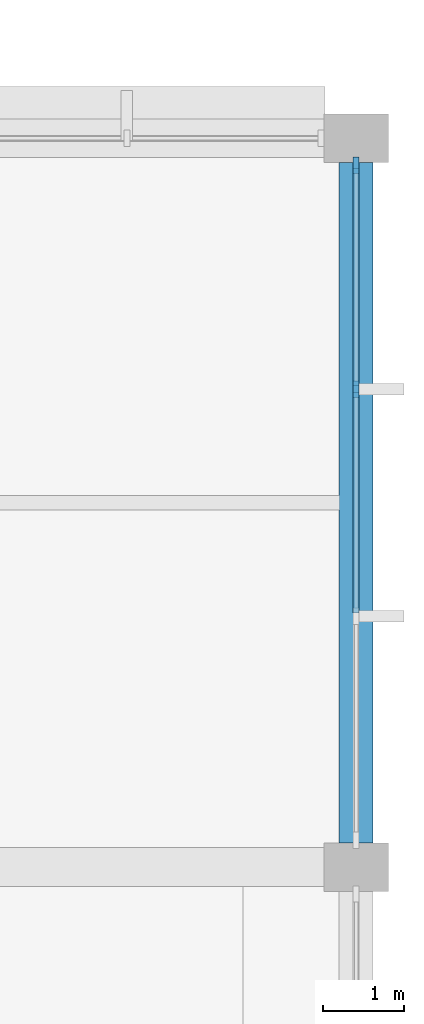
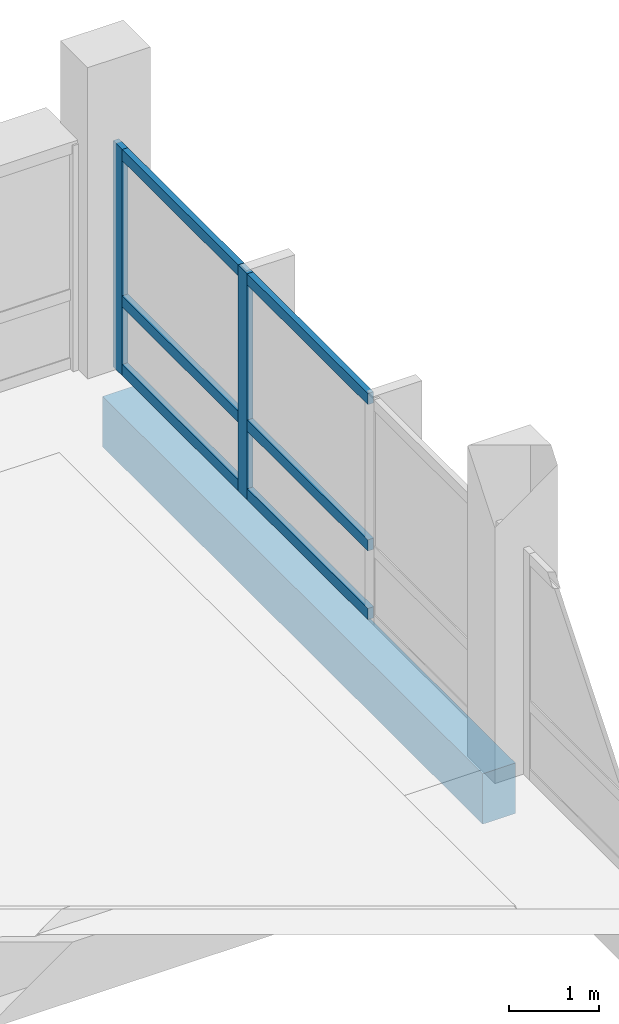
# One storey, part 31 of 57: 8 members, 1 beam, 1 element without a shape of its own.
"""IFC4 building model written with IfcOpenShell, lengths in metres."""

from ifc_helpers import new_model, si_unit, direction, frame, origin, origin_2d, place, context, subcontext, project, spatial, rectangle, extrude, material, material_profile, profile_set, type_object, element, aggregate, save


model = new_model("IFC4")

# Units and contexts
model_context = context("Model", 3, precision=1e-05, world=origin(), true_north=direction((0.0, 1.0)))
body_context = subcontext(model_context, "Body", "Model", "MODEL_VIEW")
ifc_project = project(units=[si_unit("LENGTHUNIT", "METRE"), si_unit("AREAUNIT", "SQUARE_METRE"), si_unit("VOLUMEUNIT", "CUBIC_METRE"), si_unit("PLANEANGLEUNIT", "RADIAN"), si_unit("MASSUNIT", "GRAM", prefix="KILO"), si_unit("THERMODYNAMICTEMPERATUREUNIT", "KELVIN"), si_unit("POWERUNIT", "WATT")], contexts=[model_context])

# Site, building, storey
site_placement = place(None, origin())
site = spatial("IfcSite", under=ifc_project, at=site_placement, CompositionType="ELEMENT")
building_placement = place(site_placement, origin())
building = spatial("IfcBuilding", under=site, at=building_placement, Name="Kronsvod Quay Wholesale Market", CompositionType="ELEMENT")
storey_placement = place(building_placement, frame((0.0, 0.0, 4.800048828125)))
storey = spatial("IfcBuildingStorey", under=building, at=storey_placement, Name="L01", CompositionType="ELEMENT", Elevation=4.800048828125)

# Beam
ifc_material_1 = material(Name="Precast concrete C40/50", Category="concrete")
ifc_material_profile_1 = material_profile(ifc_material_1, rectangle(XDim=0.419921875, YDim=0.679931640625, at=origin_2d()), Name="PB-05")
ifc_profile_set_1 = profile_set([ifc_material_profile_1], Name="Precast concrete C40/50")
beam_type = type_object("IfcBeamType", Name="Beam_PCB420x680", PredefinedType="BEAM", material=ifc_profile_set_1)
beam_placement = place(storey_placement, frame((192.0, 99.300048828125, -0.64013671875), z_axis=(0.0, 1.0, 0.0), x_axis=(-1.0, 0.0, 0.0)))
element("IfcBeam", 1, at=beam_placement, inside=storey, type_object=beam_type, Name="BMY-L01-1920-990", PredefinedType="BEAM", context=body_context, shape_type="SweptSolid", body=[
    extrude(rectangle(XDim=0.419921875, YDim=0.679931640625, at=origin_2d()), origin(), (0.0, 0.0, 1.0), 8.39990234375),
])

# Curtain wall, members
ifc_material_2 = material(Name="Thermally broken aluminium and triple low-E glazing", Category="aluminium")
curtain_wall_type = type_object("IfcCurtainWallType", Name="CW_Wing90x33", PredefinedType="NOTDEFINED", material=ifc_material_2)
curtain_wall_placement = place(storey_placement, origin())
curtain_wall = element("IfcCurtainWall", 2, at=curtain_wall_placement, inside=storey, type_object=curtain_wall_type, Name="CWGY-L01-1920-990", PredefinedType="NOTDEFINED")
ifc_material_3 = material(Name="Anodised aluminium", Category="aluminium")
ifc_material_profile_2 = material_profile(ifc_material_3, rectangle(XDim=0.074951171875, YDim=0.199951171875, at=origin_2d()), Name="ALUM75x200")
ifc_profile_set_2 = profile_set([ifc_material_profile_2], Name="Anodised aluminium")
member_type_1 = type_object("IfcMemberType", Name="Mullion_ALU75x200", PredefinedType="MULLION", material=ifc_profile_set_2)
member_1_placement = place(storey_placement, frame((192.0, 104.901611328125, 0.0), z_axis=(0.0, 0.0, 1.0), x_axis=(1.0, 0.0, 0.0)))
member_1 = element("IfcMember", 3, at=member_1_placement, type_object=member_type_1, Name="CWGY-L01-1920-990-M3", PredefinedType="MULLION", context=body_context, shape_type="SweptSolid", body=[
    extrude(rectangle(XDim=0.074951171875, YDim=0.199951171875, at=origin_2d()), origin(), (0.0, 0.0, 1.0), 3.050048828125),
])
member_2_placement = place(storey_placement, frame((192.0, 107.66748046875, 0.0), z_axis=(0.0, 0.0, 1.0), x_axis=(1.0, 0.0, 0.0)))
member_2 = element("IfcMember", 4, at=member_2_placement, type_object=member_type_1, Name="CWGY-L01-1920-990-M4", PredefinedType="MULLION", context=body_context, shape_type="SweptSolid", body=[
    extrude(rectangle(XDim=0.074951171875, YDim=0.199951171875, at=origin_2d()), origin(), (0.0, 0.0, 1.0), 3.050048828125),
])
ifc_material_4 = material(Name="Anodised aluminium", Category="aluminium")
ifc_material_profile_3 = material_profile(ifc_material_4, rectangle(XDim=0.074951171875, YDim=0.14990234375, at=origin_2d()), Name="ALUT75x150")
ifc_profile_set_3 = profile_set([ifc_material_profile_3], Name="Anodised aluminium")
member_type_2 = type_object("IfcMemberType", Name="Transom_ALU75x150", PredefinedType="USERDEFINED", material=ifc_profile_set_3)
member_3_placement = place(storey_placement, frame((192.0, 102.1357421875, 0.074951171875), z_axis=(0.0, 1.0, 0.0), x_axis=(-1.0, 0.0, 0.0)))
member_3 = element("IfcMember", 5, at=member_3_placement, type_object=member_type_2, Name="CWGY-L01-1920-990-T1B2", ObjectType="TRANSOM", PredefinedType="USERDEFINED", context=body_context, shape_type="SweptSolid", body=[
    extrude(rectangle(XDim=0.074951171875, YDim=0.14990234375, at=origin_2d()), origin(), (0.0, 0.0, 1.0), 2.728515625),
])
member_4_placement = place(storey_placement, frame((192.0, 104.939208984375, 0.074951171875), z_axis=(0.0, 1.0, 0.0), x_axis=(-1.0, 0.0, 0.0)))
member_4 = element("IfcMember", 6, at=member_4_placement, type_object=member_type_2, Name="CWGY-L01-1920-990-T1B3", ObjectType="TRANSOM", PredefinedType="USERDEFINED", context=body_context, shape_type="SweptSolid", body=[
    extrude(rectangle(XDim=0.074951171875, YDim=0.14990234375, at=origin_2d()), origin(), (0.0, 0.0, 1.0), 2.690673828125),
])
member_5_placement = place(storey_placement, frame((192.0, 102.1357421875, 1.0), z_axis=(0.0, 1.0, 0.0), x_axis=(-1.0, 0.0, 0.0)))
member_5 = element("IfcMember", 7, at=member_5_placement, type_object=member_type_2, Name="CWGY-L01-1920-990-T2B2", ObjectType="TRANSOM", PredefinedType="USERDEFINED", context=body_context, shape_type="SweptSolid", body=[
    extrude(rectangle(XDim=0.074951171875, YDim=0.14990234375, at=origin_2d()), origin(), (0.0, 0.0, 1.0), 2.728515625),
])
member_6_placement = place(storey_placement, frame((192.0, 104.939208984375, 1.0), z_axis=(0.0, 1.0, 0.0), x_axis=(-1.0, 0.0, 0.0)))
member_6 = element("IfcMember", 8, at=member_6_placement, type_object=member_type_2, Name="CWGY-L01-1920-990-T2B3", ObjectType="TRANSOM", PredefinedType="USERDEFINED", context=body_context, shape_type="SweptSolid", body=[
    extrude(rectangle(XDim=0.074951171875, YDim=0.14990234375, at=origin_2d()), origin(), (0.0, 0.0, 1.0), 2.690673828125),
])
member_7_placement = place(storey_placement, frame((192.0, 102.1357421875, 2.974853515625), z_axis=(0.0, 1.0, 0.0), x_axis=(-1.0, 0.0, 0.0)))
member_7 = element("IfcMember", 9, at=member_7_placement, type_object=member_type_2, Name="CWGY-L01-1920-990-T3B2", ObjectType="TRANSOM", PredefinedType="USERDEFINED", context=body_context, shape_type="SweptSolid", body=[
    extrude(rectangle(XDim=0.074951171875, YDim=0.14990234375, at=origin_2d()), origin(), (0.0, 0.0, 1.0), 2.728515625),
])
member_8_placement = place(storey_placement, frame((192.0, 104.939208984375, 2.974853515625), z_axis=(0.0, 1.0, 0.0), x_axis=(-1.0, 0.0, 0.0)))
member_8 = element("IfcMember", 10, at=member_8_placement, type_object=member_type_2, Name="CWGY-L01-1920-990-T3B3", ObjectType="TRANSOM", PredefinedType="USERDEFINED", context=body_context, shape_type="SweptSolid", body=[
    extrude(rectangle(XDim=0.074951171875, YDim=0.14990234375, at=origin_2d()), origin(), (0.0, 0.0, 1.0), 2.690673828125),
])
aggregate(curtain_wall, [member_1, member_2, member_3, member_4, member_5, member_6, member_7, member_8])

save(model, "model.ifc")
